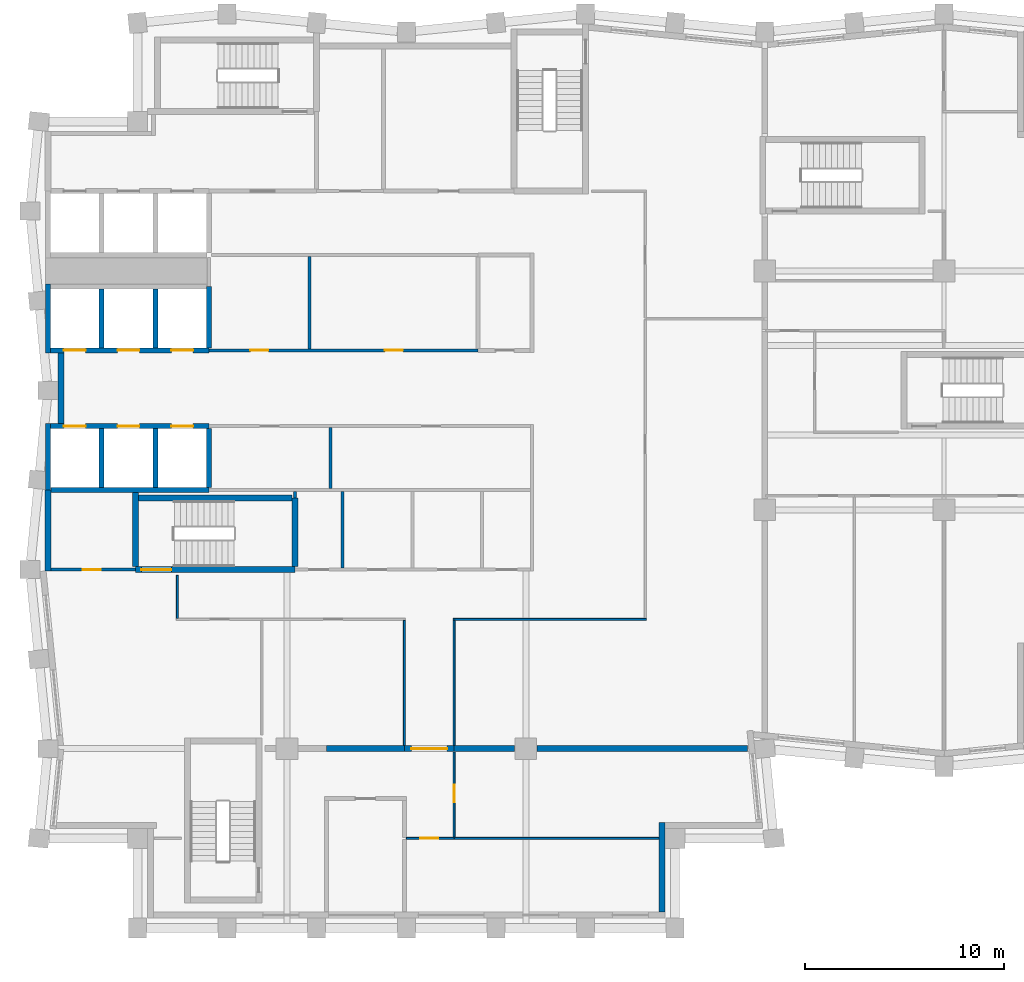
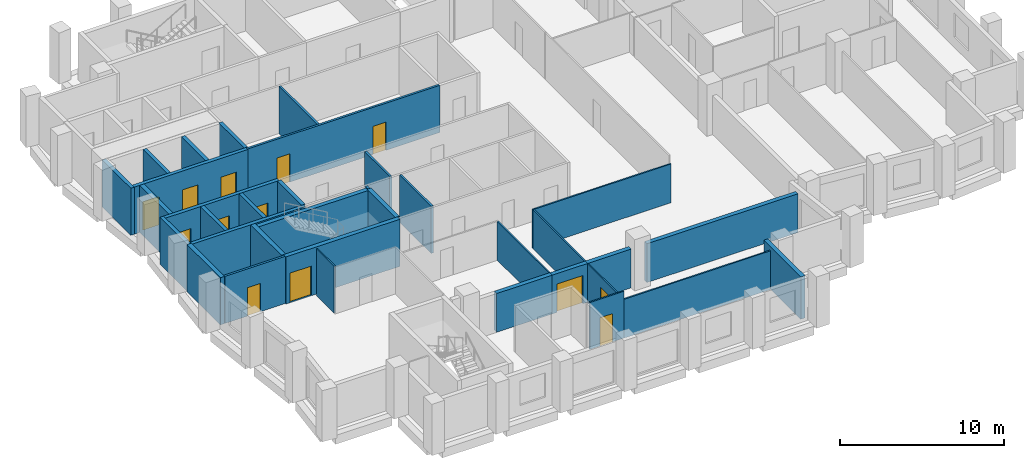
# One storey, part 3 of 8: 35 walls, 13 doors, 13 openings.
"""IFC4 building model written with IfcOpenShell, lengths in metres."""

from ifc_helpers import new_model, si_unit, direction, frame, frame_2d, origin, place, context, subcontext, project, spatial, rectangle, extrude, material, layer, layer_set, type_object, element, fill, save


model = new_model("IFC4")

# Units and contexts
model_context = context("Model", 3, precision=1e-05, world=origin(), true_north=direction((0.0, 1.0)))
body_context = subcontext(model_context, "Body", "Model", "MODEL_VIEW")
ifc_project = project(units=[si_unit("LENGTHUNIT", "METRE"), si_unit("AREAUNIT", "SQUARE_METRE"), si_unit("VOLUMEUNIT", "CUBIC_METRE"), si_unit("PLANEANGLEUNIT", "RADIAN"), si_unit("MASSUNIT", "GRAM", prefix="KILO")], contexts=[model_context])

# Site, building, storey
site_placement = place(None, origin())
site = spatial("IfcSite", under=ifc_project, at=site_placement, CompositionType="ELEMENT")
building_placement = place(site_placement, origin())
building = spatial("IfcBuilding", under=site, at=building_placement, Name="Brondeck Convention Tower", CompositionType="ELEMENT")
storey_placement = place(building_placement, frame((0.0, 0.0, 221.60009765625)))
storey = spatial("IfcBuildingStorey", under=building, at=storey_placement, Name="L54", CompositionType="ELEMENT", Elevation=221.60009765625)

# Wall
ifc_material_1 = material(Name="Concrete compartment wall C30/37", Category="concrete")
ifc_layer_1 = layer(ifc_material_1, 0.300048828125)
ifc_layer_set_1 = layer_set([ifc_layer_1], Name="Compartment wall 300")
wall_type_1 = type_object("IfcWallType", Name="Compartment wall 300", PredefinedType="PARTITIONING", material=ifc_layer_set_1)
wall_1_placement = place(storey_placement, frame((14.0, 27.0, 0.0), z_axis=(0.0, 0.0, 1.0), x_axis=(1.0, 0.0, 0.0)))
element("IfcWall", 1, at=wall_1_placement, inside=storey, type_object=wall_type_1, Name="FLR-L54-W015", PredefinedType="PARTITIONING", context=body_context, shape_type="SweptSolid", body=[
    extrude(rectangle(XDim=3.89990234375, YDim=0.300048828125, at=frame_2d((1.949951171875, 0.0))), origin(), (0.0, 0.0, 1.0), 2.8798828125),
])

# Wall, opening, door
wall_2_placement = place(storey_placement, frame((20.39990234375, 27.0, 0.0), z_axis=(0.0, 0.0, 1.0), x_axis=(-1.0, 0.0, 0.0)))
wall_2 = element("IfcWall", 2, at=wall_2_placement, inside=storey, type_object=wall_type_1, Name="FLR-L54-W016", PredefinedType="PARTITIONING", context=body_context, shape_type="SweptSolid", body=[
    extrude(rectangle(XDim=2.5, YDim=0.300048828125, at=frame_2d((1.25, 0.0))), origin(), (0.0, 0.0, 1.0), 2.8798828125),
])
opening_1_placement = place(wall_2_placement, frame((0.35009765625, 0.0, 0.0)))
opening_1 = element("IfcOpeningElement", 3, at=opening_1_placement, cuts=wall_2, Name="Opening OF-M-015", PredefinedType="OPENING", context=body_context, shape_type="SweptSolid", body=[
    extrude(rectangle(XDim=1.800048828125, YDim=2.10009765625, at=frame_2d((0.89990234375, 1.050048828125))), frame((0.0, 0.159912109375, 0.0), z_axis=(0.0, -1.0, 0.0), x_axis=(1.0, 0.0, 0.0)), (0.0, 0.0, 1.0), 0.320068359375),
])
ifc_material_2 = material(Name="Steel fire door pair", Category="steel")
door_type_1 = type_object("IfcDoorType", Name="Fire door pair 1800", OperationType="DOUBLE_DOOR_SINGLE_SWING", PredefinedType="DOOR", material=ifc_material_2)
door_1_placement = place(opening_1_placement, origin())
door_1 = element("IfcDoor", 4, at=door_1_placement, inside=storey, type_object=door_type_1, Name="Door OF-M-015", OperationType="DOUBLE_DOOR_SINGLE_SWING", OverallHeight=2.10009765625, OverallWidth=1.800048828125, PredefinedType="DOOR", context=body_context, shape_type="SweptSolid", body=[
    extrude(rectangle(XDim=1.800048828125, YDim=2.10009765625, at=frame_2d((0.89990234375, 1.050048828125))), frame((0.0, 0.02490234375, 0.0), z_axis=(0.0, -1.0, 0.0), x_axis=(1.0, 0.0, 0.0)), (0.0, 0.0, 1.0), 0.050048828125),
])
fill(opening_1, door_1)

# Walls
wall_3_placement = place(storey_placement, frame((20.39990234375, 27.0, 0.0), z_axis=(0.0, 0.0, 1.0), x_axis=(1.0, 0.0, 0.0)))
element("IfcWall", 5, at=wall_3_placement, inside=storey, type_object=wall_type_1, Name="FLR-L54-W017", PredefinedType="PARTITIONING", context=body_context, shape_type="SweptSolid", body=[
    extrude(rectangle(XDim=3.045166015625, YDim=0.300048828125, at=frame_2d((1.5224609375, 0.0))), origin(), (0.0, 0.0, 1.0), 2.8798828125),
])
wall_4_placement = place(storey_placement, frame((24.554931640625, 27.0, 0.0), z_axis=(0.0, 0.0, 1.0), x_axis=(1.0, 0.0, 0.0)))
element("IfcWall", 6, at=wall_4_placement, inside=storey, type_object=wall_type_1, Name="FLR-L54-W018", PredefinedType="PARTITIONING", context=body_context, shape_type="SweptSolid", body=[
    extrude(rectangle(XDim=10.591064453125, YDim=0.300048828125, at=frame_2d((5.29541015625, 0.0))), origin(), (0.0, 0.0, 1.0), 2.8798828125),
])
ifc_material_3 = material(Name="Concrete C50/60", Category="concrete")
ifc_layer_2 = layer(ifc_material_3, 0.300048828125)
ifc_layer_set_2 = layer_set([ifc_layer_2], Name="Core outer wall 300 Concrete C50/60")
wall_type_2 = type_object("IfcWallType", Name="Core outer wall 300 Concrete C50/60", PredefinedType="SHEAR", material=ifc_layer_set_2)
wall_5_placement = place(storey_placement, frame((0.0, 35.925048828125, 0.0), z_axis=(0.0, 0.0, 1.0), x_axis=(0.0, 1.0, 0.0)))
element("IfcWall", 7, at=wall_5_placement, inside=storey, type_object=wall_type_2, Name="L54 core wall", PredefinedType="SHEAR", context=body_context, shape_type="SweptSolid", body=[
    extrude(rectangle(XDim=4.074951171875, YDim=0.300048828125, at=frame_2d((2.03759765625, 0.0))), origin(), (0.0, 0.0, 1.0), 3.5),
])
wall_6_placement = place(storey_placement, frame((0.64990234375, 43.324951171875, 0.0), z_axis=(0.0, 0.0, 1.0), x_axis=(0.0, 1.0, 0.0)))
element("IfcWall", 8, at=wall_6_placement, inside=storey, type_object=wall_type_2, Name="L54 core wall", PredefinedType="SHEAR", context=body_context, shape_type="SweptSolid", body=[
    extrude(rectangle(XDim=3.550048828125, YDim=0.300048828125, at=frame_2d((1.77490234375, 0.0))), origin(), (0.0, 0.0, 1.0), 3.5),
])

# Wall, opening, door
ifc_material_4 = material(Name="Fire-rated gypsum board partition")
ifc_layer_3 = layer(ifc_material_4, 0.14990234375)
ifc_layer_set_3 = layer_set([ifc_layer_3], Name="Core partition 150 EI 60")
wall_type_3 = type_object("IfcWallType", Name="Core partition 150 EI 60", PredefinedType="PARTITIONING", material=ifc_layer_set_3)
wall_7_placement = place(storey_placement, frame((0.14990234375, 36.0, 0.0), z_axis=(0.0, 0.0, 1.0), x_axis=(1.0, 0.0, 0.0)))
wall_7 = element("IfcWall", 9, at=wall_7_placement, inside=storey, type_object=wall_type_3, Name="L54 core wall", PredefinedType="PARTITIONING", context=body_context, shape_type="SweptSolid", body=[
    extrude(rectangle(XDim=4.25, YDim=0.14990234375, at=frame_2d((2.125, 0.0))), origin(), (0.0, 0.0, 1.0), 3.5),
])
opening_2_placement = place(wall_7_placement, frame((1.60009765625, 0.0, 0.0)))
opening_2 = element("IfcOpeningElement", 10, at=opening_2_placement, cuts=wall_7, Name="Opening C30-07", PredefinedType="OPENING", context=body_context, shape_type="SweptSolid", body=[
    extrude(rectangle(XDim=0.89990234375, YDim=2.10009765625, at=frame_2d((0.449951171875, 1.050048828125))), frame((0.0, 0.0849609375, 0.0), z_axis=(0.0, -1.0, 0.0), x_axis=(1.0, 0.0, 0.0)), (0.0, 0.0, 1.0), 0.169921875),
])
ifc_material_5 = material(Name="Steel fire door", Category="steel")
door_type_2 = type_object("IfcDoorType", Name="Room door 900x2100 EI 60", OperationType="NOTDEFINED", PredefinedType="DOOR", material=ifc_material_5)
door_2_placement = place(opening_2_placement, origin())
door_2 = element("IfcDoor", 11, at=door_2_placement, inside=storey, type_object=door_type_2, Name="L54 Room door FRW-1", OperationType="SINGLE_SWING_LEFT", OverallHeight=2.10009765625, OverallWidth=0.89990234375, PredefinedType="DOOR", context=body_context, shape_type="SweptSolid", body=[
    extrude(rectangle(XDim=0.89990234375, YDim=2.10009765625, at=frame_2d((0.449951171875, 1.050048828125))), frame((0.0, 0.02490234375, 0.0), z_axis=(0.0, -1.0, 0.0), x_axis=(1.0, 0.0, 0.0)), (0.0, 0.0, 1.0), 0.050048828125),
])
fill(opening_2, door_2)

# Wall, openings, doors
wall_8_placement = place(storey_placement, frame((8.10009765625, 47.0, 0.0), z_axis=(0.0, 0.0, 1.0), x_axis=(1.0, 0.0, 0.0)))
wall_8 = element("IfcWall", 12, at=wall_8_placement, inside=storey, type_object=wall_type_3, Name="L54 core wall", PredefinedType="PARTITIONING", context=body_context, shape_type="SweptSolid", body=[
    extrude(rectangle(XDim=13.5, YDim=0.14990234375, at=frame_2d((6.75, 0.0))), origin(), (0.0, 0.0, 1.0), 3.5),
])
opening_3_placement = place(wall_8_placement, frame((2.074951171875, 0.0, 0.0)))
opening_3 = element("IfcOpeningElement", 13, at=opening_3_placement, cuts=wall_8, Name="Opening C30-08", PredefinedType="OPENING", context=body_context, shape_type="SweptSolid", body=[
    extrude(rectangle(XDim=0.89990234375, YDim=2.10009765625, at=frame_2d((0.449951171875, 1.050048828125))), frame((0.0, 0.0849609375, 0.0), z_axis=(0.0, -1.0, 0.0), x_axis=(1.0, 0.0, 0.0)), (0.0, 0.0, 1.0), 0.169921875),
])
opening_4_placement = place(wall_8_placement, frame((8.824951171875, 0.0, 0.0)))
opening_4 = element("IfcOpeningElement", 14, at=opening_4_placement, cuts=wall_8, Name="Opening C30-09", PredefinedType="OPENING", context=body_context, shape_type="SweptSolid", body=[
    extrude(rectangle(XDim=0.89990234375, YDim=2.10009765625, at=frame_2d((0.449951171875, 1.050048828125))), frame((0.0, 0.0849609375, 0.0), z_axis=(0.0, -1.0, 0.0), x_axis=(1.0, 0.0, 0.0)), (0.0, 0.0, 1.0), 0.169921875),
])
door_3_placement = place(opening_3_placement, origin())
door_3 = element("IfcDoor", 15, at=door_3_placement, inside=storey, type_object=door_type_2, Name="L54 Room door FZ-N-8.1-1", OperationType="SINGLE_SWING_LEFT", OverallHeight=2.10009765625, OverallWidth=0.89990234375, PredefinedType="DOOR", context=body_context, shape_type="SweptSolid", body=[
    extrude(rectangle(XDim=0.89990234375, YDim=2.10009765625, at=frame_2d((0.449951171875, 1.050048828125))), frame((0.0, 0.02490234375, 0.0), z_axis=(0.0, -1.0, 0.0), x_axis=(1.0, 0.0, 0.0)), (0.0, 0.0, 1.0), 0.050048828125),
])
fill(opening_3, door_3)
door_4_placement = place(opening_4_placement, origin())
door_4 = element("IfcDoor", 16, at=door_4_placement, inside=storey, type_object=door_type_2, Name="L54 Room door FZ-N-8.1-2", OperationType="SINGLE_SWING_RIGHT", OverallHeight=2.10009765625, OverallWidth=0.89990234375, PredefinedType="DOOR", context=body_context, shape_type="SweptSolid", body=[
    extrude(rectangle(XDim=0.89990234375, YDim=2.10009765625, at=frame_2d((0.449951171875, 1.050048828125))), frame((0.0, 0.02490234375, 0.0), z_axis=(0.0, -1.0, 0.0), x_axis=(1.0, 0.0, 0.0)), (0.0, 0.0, 1.0), 0.050048828125),
])
fill(opening_4, door_4)

# Walls
wall_9_placement = place(storey_placement, frame((12.39990234375, 39.60009765625, 0.0), z_axis=(0.0, 0.0, 1.0), x_axis=(0.0, 1.0, 0.0)))
element("IfcWall", 17, at=wall_9_placement, inside=storey, type_object=wall_type_3, Name="L54 core wall", PredefinedType="PARTITIONING", context=body_context, shape_type="SweptSolid", body=[
    extrude(rectangle(XDim=0.324951171875, YDim=0.14990234375, at=frame_2d((0.16259765625, 0.0))), origin(), (0.0, 0.0, 1.0), 3.5),
])
wall_10_placement = place(storey_placement, frame((13.14990234375, 47.074951171875, 0.0), z_axis=(0.0, 0.0, 1.0), x_axis=(0.0, 1.0, 0.0)))
element("IfcWall", 18, at=wall_10_placement, inside=storey, type_object=wall_type_3, Name="L54 core wall", PredefinedType="PARTITIONING", context=body_context, shape_type="SweptSolid", body=[
    extrude(rectangle(XDim=4.650146484375, YDim=0.14990234375, at=frame_2d((2.3251953125, 0.0))), origin(), (0.0, 0.0, 1.0), 3.5),
])
wall_11_placement = place(storey_placement, frame((14.199951171875, 40.074951171875, 0.0), z_axis=(0.0, 0.0, 1.0), x_axis=(0.0, 1.0, 0.0)))
element("IfcWall", 19, at=wall_11_placement, inside=storey, type_object=wall_type_3, Name="L54 core wall", PredefinedType="PARTITIONING", context=body_context, shape_type="SweptSolid", body=[
    extrude(rectangle(XDim=3.050048828125, YDim=0.14990234375, at=frame_2d((1.52490234375, 0.0))), origin(), (0.0, 0.0, 1.0), 3.5),
])
wall_12_placement = place(storey_placement, frame((14.800048828125, 36.074951171875, 0.0), z_axis=(0.0, 0.0, 1.0), x_axis=(0.0, 1.0, 0.0)))
element("IfcWall", 20, at=wall_12_placement, inside=storey, type_object=wall_type_3, Name="L54 core wall", PredefinedType="PARTITIONING", context=body_context, shape_type="SweptSolid", body=[
    extrude(rectangle(XDim=3.85009765625, YDim=0.14990234375, at=frame_2d((1.925048828125, 0.0))), origin(), (0.0, 0.0, 1.0), 3.5),
])
ifc_material_6 = material(Name="Precast concrete C50/60 bronze finish", Category="concrete")
ifc_layer_4 = layer(ifc_material_6, 0.070068359375, Name="Bronze precast facing")
ifc_material_7 = material(Name="Mineral wool")
ifc_layer_5 = layer(ifc_material_7, 0.159912109375, Name="Insulation")
ifc_material_8 = material(Name="Concrete C35/45", Category="concrete")
ifc_layer_6 = layer(ifc_material_8, 0.070068359375, Name="Backing")
ifc_layer_set_4 = layer_set([ifc_layer_4, ifc_layer_5, ifc_layer_6], Name="External infill wall, precast concrete C50/60 bronze facing")
wall_type_4 = type_object("IfcWallType", Name="External infill wall, precast concrete C50/60 bronze facing", PredefinedType="SOLIDWALL", material=ifc_layer_set_4)
wall_13_placement = place(storey_placement, frame((30.85009765625, 23.300048828125, 0.0), z_axis=(0.0, 0.0, 1.0), x_axis=(0.0, -1.0, 0.0)))
element("IfcWall", 21, at=wall_13_placement, inside=storey, type_object=wall_type_4, Name="ENV-EW-L54-P2-NC-SEB18-01", PredefinedType="SOLIDWALL", context=body_context, shape_type="SweptSolid", body=[
    extrude(rectangle(XDim=4.5, YDim=0.300048828125, at=frame_2d((2.25, 0.0))), origin(), (0.0, 0.0, 1.0), 3.14990234375),
])
ifc_layer_7 = layer(ifc_material_3, 0.25)
ifc_layer_set_5 = layer_set([ifc_layer_7], Name="Lift shaft wall 250 Concrete C50/60")
wall_type_5 = type_object("IfcWallType", Name="Lift shaft wall 250 Concrete C50/60", PredefinedType="SHEAR", material=ifc_layer_set_5)
wall_14_placement = place(storey_placement, frame((0.14990234375, 40.0, 0.0), z_axis=(0.0, 0.0, 1.0), x_axis=(1.0, 0.0, 0.0)))
element("IfcWall", 22, at=wall_14_placement, inside=storey, type_object=wall_type_5, Name="L54 core wall", PredefinedType="SHEAR", context=body_context, shape_type="SweptSolid", body=[
    extrude(rectangle(XDim=7.9501953125, YDim=0.25, at=frame_2d((3.97509765625, 0.0))), origin(), (0.0, 0.0, 1.0), 3.5),
])

# Wall, openings, doors
wall_15_placement = place(storey_placement, frame((0.125, 43.199951171875, 0.0), z_axis=(0.0, 0.0, 1.0), x_axis=(1.0, 0.0, 0.0)))
wall_15 = element("IfcWall", 23, at=wall_15_placement, inside=storey, type_object=wall_type_5, Name="L54 core wall", PredefinedType="SHEAR", context=body_context, shape_type="SweptSolid", body=[
    extrude(rectangle(XDim=7.97509765625, YDim=0.25, at=frame_2d((3.987548828125, 0.0))), origin(), (0.0, 0.0, 1.0), 3.5),
])
opening_5_placement = place(wall_15_placement, frame((0.675048828125, 0.0, 0.0)))
opening_5 = element("IfcOpeningElement", 24, at=opening_5_placement, cuts=wall_15, Name="Opening C30-23", PredefinedType="OPENING", context=body_context, shape_type="SweptSolid", body=[
    extrude(rectangle(XDim=1.10009765625, YDim=2.10009765625, at=frame_2d((0.550048828125, 1.050048828125))), frame((0.0, 0.135009765625, 0.0), z_axis=(0.0, -1.0, 0.0), x_axis=(1.0, 0.0, 0.0)), (0.0, 0.0, 1.0), 0.27001953125),
])
opening_6_placement = place(wall_15_placement, frame((3.375, 0.0, 0.0)))
opening_6 = element("IfcOpeningElement", 25, at=opening_6_placement, cuts=wall_15, Name="Opening C30-24", PredefinedType="OPENING", context=body_context, shape_type="SweptSolid", body=[
    extrude(rectangle(XDim=1.10009765625, YDim=2.10009765625, at=frame_2d((0.550048828125, 1.050048828125))), frame((0.0, 0.135009765625, 0.0), z_axis=(0.0, -1.0, 0.0), x_axis=(1.0, 0.0, 0.0)), (0.0, 0.0, 1.0), 0.27001953125),
])
opening_7_placement = place(wall_15_placement, frame((6.074951171875, 0.0, 0.0)))
opening_7 = element("IfcOpeningElement", 26, at=opening_7_placement, cuts=wall_15, Name="Opening C30-25", PredefinedType="OPENING", context=body_context, shape_type="SweptSolid", body=[
    extrude(rectangle(XDim=1.10009765625, YDim=2.10009765625, at=frame_2d((0.550048828125, 1.050048828125))), frame((0.0, 0.135009765625, 0.0), z_axis=(0.0, -1.0, 0.0), x_axis=(1.0, 0.0, 0.0)), (0.0, 0.0, 1.0), 0.27001953125),
])
ifc_material_9 = material(Name="Stainless steel lift door", Category="steel")
door_type_3 = type_object("IfcDoorType", Name="Lift landing door 1100x2100 EI 180", OperationType="DOUBLE_DOOR_SLIDING", PredefinedType="DOOR", material=ifc_material_9)
door_5_placement = place(opening_5_placement, origin())
door_5 = element("IfcDoor", 27, at=door_5_placement, inside=storey, type_object=door_type_3, Name="L54 Lift landing door HR1", OperationType="DOUBLE_DOOR_SLIDING", OverallHeight=2.10009765625, OverallWidth=1.10009765625, PredefinedType="DOOR", context=body_context, shape_type="SweptSolid", body=[
    extrude(rectangle(XDim=1.10009765625, YDim=2.10009765625, at=frame_2d((0.550048828125, 1.050048828125))), frame((0.0, 0.02490234375, 0.0), z_axis=(0.0, -1.0, 0.0), x_axis=(1.0, 0.0, 0.0)), (0.0, 0.0, 1.0), 0.050048828125),
])
fill(opening_5, door_5)
door_6_placement = place(opening_6_placement, origin())
door_6 = element("IfcDoor", 28, at=door_6_placement, inside=storey, type_object=door_type_3, Name="L54 Lift landing door HR2", OperationType="DOUBLE_DOOR_SLIDING", OverallHeight=2.10009765625, OverallWidth=1.10009765625, PredefinedType="DOOR", context=body_context, shape_type="SweptSolid", body=[
    extrude(rectangle(XDim=1.10009765625, YDim=2.10009765625, at=frame_2d((0.550048828125, 1.050048828125))), frame((0.0, 0.02490234375, 0.0), z_axis=(0.0, -1.0, 0.0), x_axis=(1.0, 0.0, 0.0)), (0.0, 0.0, 1.0), 0.050048828125),
])
fill(opening_6, door_6)
door_7_placement = place(opening_7_placement, origin())
door_7 = element("IfcDoor", 29, at=door_7_placement, inside=storey, type_object=door_type_3, Name="L54 Lift landing door HR3", OperationType="DOUBLE_DOOR_SLIDING", OverallHeight=2.10009765625, OverallWidth=1.10009765625, PredefinedType="DOOR", context=body_context, shape_type="SweptSolid", body=[
    extrude(rectangle(XDim=1.10009765625, YDim=2.10009765625, at=frame_2d((0.550048828125, 1.050048828125))), frame((0.0, 0.02490234375, 0.0), z_axis=(0.0, -1.0, 0.0), x_axis=(1.0, 0.0, 0.0)), (0.0, 0.0, 1.0), 0.050048828125),
])
fill(opening_7, door_7)

wall_16_placement = place(storey_placement, frame((0.125, 47.0, 0.0), z_axis=(0.0, 0.0, 1.0), x_axis=(1.0, 0.0, 0.0)))
wall_16 = element("IfcWall", 30, at=wall_16_placement, inside=storey, type_object=wall_type_5, Name="L54 core wall", PredefinedType="SHEAR", context=body_context, shape_type="SweptSolid", body=[
    extrude(rectangle(XDim=7.97509765625, YDim=0.25, at=frame_2d((3.987548828125, 0.0))), origin(), (0.0, 0.0, 1.0), 3.5),
])
opening_8_placement = place(wall_16_placement, frame((0.675048828125, 0.0, 0.0)))
opening_8 = element("IfcOpeningElement", 31, at=opening_8_placement, cuts=wall_16, Name="Opening C30-26", PredefinedType="OPENING", context=body_context, shape_type="SweptSolid", body=[
    extrude(rectangle(XDim=1.10009765625, YDim=2.10009765625, at=frame_2d((0.550048828125, 1.050048828125))), frame((0.0, 0.135009765625, 0.0), z_axis=(0.0, -1.0, 0.0), x_axis=(1.0, 0.0, 0.0)), (0.0, 0.0, 1.0), 0.27001953125),
])
opening_9_placement = place(wall_16_placement, frame((3.375, 0.0, 0.0)))
opening_9 = element("IfcOpeningElement", 32, at=opening_9_placement, cuts=wall_16, Name="Opening C30-27", PredefinedType="OPENING", context=body_context, shape_type="SweptSolid", body=[
    extrude(rectangle(XDim=1.10009765625, YDim=2.10009765625, at=frame_2d((0.550048828125, 1.050048828125))), frame((0.0, 0.135009765625, 0.0), z_axis=(0.0, -1.0, 0.0), x_axis=(1.0, 0.0, 0.0)), (0.0, 0.0, 1.0), 0.27001953125),
])
opening_10_placement = place(wall_16_placement, frame((6.074951171875, 0.0, 0.0)))
opening_10 = element("IfcOpeningElement", 33, at=opening_10_placement, cuts=wall_16, Name="Opening C30-28", PredefinedType="OPENING", context=body_context, shape_type="SweptSolid", body=[
    extrude(rectangle(XDim=1.10009765625, YDim=2.10009765625, at=frame_2d((0.550048828125, 1.050048828125))), frame((0.0, 0.135009765625, 0.0), z_axis=(0.0, -1.0, 0.0), x_axis=(1.0, 0.0, 0.0)), (0.0, 0.0, 1.0), 0.27001953125),
])
door_8_placement = place(opening_8_placement, origin())
door_8 = element("IfcDoor", 34, at=door_8_placement, inside=storey, type_object=door_type_3, Name="L54 Lift landing door HR4", OperationType="DOUBLE_DOOR_SLIDING", OverallHeight=2.10009765625, OverallWidth=1.10009765625, PredefinedType="DOOR", context=body_context, shape_type="SweptSolid", body=[
    extrude(rectangle(XDim=1.10009765625, YDim=2.10009765625, at=frame_2d((0.550048828125, 1.050048828125))), frame((0.0, 0.02490234375, 0.0), z_axis=(0.0, -1.0, 0.0), x_axis=(1.0, 0.0, 0.0)), (0.0, 0.0, 1.0), 0.050048828125),
])
fill(opening_8, door_8)
door_9_placement = place(opening_9_placement, origin())
door_9 = element("IfcDoor", 35, at=door_9_placement, inside=storey, type_object=door_type_3, Name="L54 Lift landing door HR5", OperationType="DOUBLE_DOOR_SLIDING", OverallHeight=2.10009765625, OverallWidth=1.10009765625, PredefinedType="DOOR", context=body_context, shape_type="SweptSolid", body=[
    extrude(rectangle(XDim=1.10009765625, YDim=2.10009765625, at=frame_2d((0.550048828125, 1.050048828125))), frame((0.0, 0.02490234375, 0.0), z_axis=(0.0, -1.0, 0.0), x_axis=(1.0, 0.0, 0.0)), (0.0, 0.0, 1.0), 0.050048828125),
])
fill(opening_9, door_9)
door_10_placement = place(opening_10_placement, origin())
door_10 = element("IfcDoor", 36, at=door_10_placement, inside=storey, type_object=door_type_3, Name="L54 Lift landing door HR6", OperationType="DOUBLE_DOOR_SLIDING", OverallHeight=2.10009765625, OverallWidth=1.10009765625, PredefinedType="DOOR", context=body_context, shape_type="SweptSolid", body=[
    extrude(rectangle(XDim=1.10009765625, YDim=2.10009765625, at=frame_2d((0.550048828125, 1.050048828125))), frame((0.0, 0.02490234375, 0.0), z_axis=(0.0, -1.0, 0.0), x_axis=(1.0, 0.0, 0.0)), (0.0, 0.0, 1.0), 0.050048828125),
])
fill(opening_10, door_10)

# Walls
wall_17_placement = place(storey_placement, frame((0.0, 40.0, 0.0), z_axis=(0.0, 0.0, 1.0), x_axis=(0.0, 1.0, 0.0)))
element("IfcWall", 37, at=wall_17_placement, inside=storey, type_object=wall_type_5, Name="L54 core wall", PredefinedType="SHEAR", context=body_context, shape_type="SweptSolid", body=[
    extrude(rectangle(XDim=3.324951171875, YDim=0.25, at=frame_2d((1.66259765625, 0.0))), origin(), (0.0, 0.0, 1.0), 3.5),
])
wall_18_placement = place(storey_placement, frame((0.0, 46.875, 0.0), z_axis=(0.0, 0.0, 1.0), x_axis=(0.0, 1.0, 0.0)))
element("IfcWall", 38, at=wall_18_placement, inside=storey, type_object=wall_type_5, Name="L54 core wall", PredefinedType="SHEAR", context=body_context, shape_type="SweptSolid", body=[
    extrude(rectangle(XDim=3.47509765625, YDim=0.25, at=frame_2d((1.737548828125, 0.0))), origin(), (0.0, 0.0, 1.0), 3.5),
])
for number, where, z_axis, x_axis, name in (
    (39, (2.699951171875, 40.125, 0.0), (0.0, 0.0, 1.0), (0.0, 1.0, 0.0), "L54 core wall"),
    (40, (2.699951171875, 47.125, 0.0), (0.0, 0.0, 1.0), (0.0, 1.0, 0.0), "L54 core wall"),
    (41, (5.39990234375, 40.125, 0.0), (0.0, 0.0, 1.0), (0.0, 1.0, 0.0), "L54 core wall"),
    (42, (5.39990234375, 47.125, 0.0), (0.0, 0.0, 1.0), (0.0, 1.0, 0.0), "L54 core wall"),
    (43, (8.10009765625, 40.125, 0.0), (0.0, 0.0, 1.0), (0.0, 1.0, 0.0), "L54 core wall"),
):
    element("IfcWall", number, at=place(storey_placement, frame(where, z_axis=z_axis, x_axis=x_axis)), inside=storey, type_object=wall_type_5, Name=name, PredefinedType="SHEAR", context=body_context, shape_type="SweptSolid", body=[
        extrude(rectangle(XDim=2.949951171875, YDim=0.25, at=frame_2d((1.47509765625, 0.0))), origin(), (0.0, 0.0, 1.0), 3.5),
    ])
wall_19_placement = place(storey_placement, frame((8.10009765625, 47.125, 0.0), z_axis=(0.0, 0.0, 1.0), x_axis=(0.0, 1.0, 0.0)))
element("IfcWall", 44, at=wall_19_placement, inside=storey, type_object=wall_type_5, Name="L54 core wall", PredefinedType="SHEAR", context=body_context, shape_type="SweptSolid", body=[
    extrude(rectangle(XDim=3.074951171875, YDim=0.25, at=frame_2d((1.53759765625, 0.0))), origin(), (0.0, 0.0, 1.0), 3.5),
])

# Wall, opening, door
ifc_material_10 = material(Name="Gypsum board partition on steel studs", Category="steel")
ifc_layer_8 = layer(ifc_material_10, 0.10009765625)
ifc_layer_set_6 = layer_set([ifc_layer_8], Name="Room partition 100")
wall_type_6 = type_object("IfcWallType", Name="Room partition 100", PredefinedType="PARTITIONING", material=ifc_layer_set_6)
wall_20_placement = place(storey_placement, frame((20.39990234375, 22.5, 0.0), z_axis=(0.0, 0.0, 1.0), x_axis=(-1.0, 0.0, 0.0)))
wall_20 = element("IfcWall", 45, at=wall_20_placement, inside=storey, type_object=wall_type_6, Name="FLR-L54-W003", PredefinedType="PARTITIONING", context=body_context, shape_type="SweptSolid", body=[
    extrude(rectangle(XDim=2.39990234375, YDim=0.10009765625, at=frame_2d((1.199951171875, 0.0))), origin(), (0.0, 0.0, 1.0), 3.47998046875),
])
opening_11_placement = place(wall_20_placement, frame((0.800048828125, 0.0, 0.0)))
opening_11 = element("IfcOpeningElement", 46, at=opening_11_placement, cuts=wall_20, Name="Opening OF-M-009", PredefinedType="OPENING", context=body_context, shape_type="SweptSolid", body=[
    extrude(rectangle(XDim=0.89990234375, YDim=2.10009765625, at=frame_2d((0.449951171875, 1.050048828125))), frame((0.0, 0.06005859375, 0.0), z_axis=(0.0, -1.0, 0.0), x_axis=(1.0, 0.0, 0.0)), (0.0, 0.0, 1.0), 0.1201171875),
])
ifc_material_11 = material(Name="Solid timber door leaf", Category="wood")
door_type_4 = type_object("IfcDoorType", Name="Single door 900", OperationType="NOTDEFINED", PredefinedType="DOOR", material=ifc_material_11)
door_11_placement = place(opening_11_placement, origin())
door_11 = element("IfcDoor", 47, at=door_11_placement, inside=storey, type_object=door_type_4, Name="Door OF-M-009", OperationType="SINGLE_SWING_LEFT", OverallHeight=2.10009765625, OverallWidth=0.89990234375, PredefinedType="DOOR", context=body_context, shape_type="SweptSolid", body=[
    extrude(rectangle(XDim=0.89990234375, YDim=2.10009765625, at=frame_2d((0.449951171875, 1.050048828125))), frame((0.0, 0.02490234375, 0.0), z_axis=(0.0, -1.0, 0.0), x_axis=(1.0, 0.0, 0.0)), (0.0, 0.0, 1.0), 0.050048828125),
])
fill(opening_11, door_11)

# Wall
wall_21_placement = place(storey_placement, frame((20.39990234375, 22.5, 0.0), z_axis=(0.0, 0.0, 1.0), x_axis=(1.0, 0.0, 0.0)))
element("IfcWall", 48, at=wall_21_placement, inside=storey, type_object=wall_type_6, Name="FLR-L54-W004", PredefinedType="PARTITIONING", context=body_context, shape_type="SweptSolid", body=[
    extrude(rectangle(XDim=10.280029296875, YDim=0.10009765625, at=frame_2d((5.14013671875, 0.0))), origin(), (0.0, 0.0, 1.0), 2.8798828125),
])

# Wall, opening, door
wall_22_placement = place(storey_placement, frame((20.39990234375, 26.830078125, 0.0), z_axis=(0.0, 0.0, 1.0), x_axis=(0.0, -1.0, 0.0)))
wall_22 = element("IfcWall", 49, at=wall_22_placement, inside=storey, type_object=wall_type_6, Name="FLR-L54-W011", PredefinedType="PARTITIONING", context=body_context, shape_type="SweptSolid", body=[
    extrude(rectangle(XDim=4.280029296875, YDim=0.10009765625, at=frame_2d((2.14013671875, 0.0))), origin(), (0.0, 0.0, 1.0), 2.8798828125),
])
opening_12_placement = place(wall_22_placement, frame((1.6298828125, 0.0, 0.0)))
opening_12 = element("IfcOpeningElement", 50, at=opening_12_placement, cuts=wall_22, Name="Opening OF-M-010", PredefinedType="OPENING", context=body_context, shape_type="SweptSolid", body=[
    extrude(rectangle(XDim=0.89990234375, YDim=2.10009765625, at=frame_2d((0.449951171875, 1.050048828125))), frame((0.0, 0.06005859375, 0.0), z_axis=(0.0, -1.0, 0.0), x_axis=(1.0, 0.0, 0.0)), (0.0, 0.0, 1.0), 0.1201171875),
])
door_12_placement = place(opening_12_placement, origin())
door_12 = element("IfcDoor", 51, at=door_12_placement, inside=storey, type_object=door_type_4, Name="Door OF-M-010", OperationType="SINGLE_SWING_LEFT", OverallHeight=2.10009765625, OverallWidth=0.89990234375, PredefinedType="DOOR", context=body_context, shape_type="SweptSolid", body=[
    extrude(rectangle(XDim=0.89990234375, YDim=2.10009765625, at=frame_2d((0.449951171875, 1.050048828125))), frame((0.0, 0.02490234375, 0.0), z_axis=(0.0, -1.0, 0.0), x_axis=(1.0, 0.0, 0.0)), (0.0, 0.0, 1.0), 0.050048828125),
])
fill(opening_12, door_12)

# Walls
for number, where, z_axis, x_axis, name in (
    (52, (17.89990234375, 27.169921875, 0.0), (0.0, 0.0, 1.0), (0.0, 1.0, 0.0), "FLR-L54-W019"),
    (53, (20.39990234375, 33.449951171875, 0.0), (0.0, 0.0, 1.0), (0.0, -1.0, 0.0), "FLR-L54-W025"),
):
    element("IfcWall", number, at=place(storey_placement, frame(where, z_axis=z_axis, x_axis=x_axis)), inside=storey, type_object=wall_type_6, Name=name, PredefinedType="PARTITIONING", context=body_context, shape_type="SweptSolid", body=[
        extrude(rectangle(XDim=6.280029296875, YDim=0.10009765625, at=frame_2d((3.14013671875, 0.0))), origin(), (0.0, 0.0, 1.0), 2.8798828125),
    ])
wall_23_placement = place(storey_placement, frame((30.050048828125, 33.5, 0.0), z_axis=(0.0, 0.0, 1.0), x_axis=(-1.0, 0.0, 0.0)))
element("IfcWall", 54, at=wall_23_placement, inside=storey, type_object=wall_type_6, Name="FLR-L54-W028", PredefinedType="PARTITIONING", context=body_context, shape_type="SweptSolid", body=[
    extrude(rectangle(XDim=9.699951171875, YDim=0.10009765625, at=frame_2d((4.85009765625, 0.0))), origin(), (0.0, 0.0, 1.0), 2.8798828125),
])
wall_24_placement = place(storey_placement, frame((6.5, 33.550048828125, 0.0), z_axis=(0.0, 0.0, 1.0), x_axis=(0.0, 1.0, 0.0)))
element("IfcWall", 55, at=wall_24_placement, inside=storey, type_object=wall_type_6, Name="FLR-L54-W029", PredefinedType="PARTITIONING", context=body_context, shape_type="SweptSolid", body=[
    extrude(rectangle(XDim=2.14990234375, YDim=0.10009765625, at=frame_2d((1.074951171875, 0.0))), origin(), (0.0, 0.0, 1.0), 3.47998046875),
])

# Wall, opening, door
ifc_layer_9 = layer(ifc_material_3, 0.300048828125)
ifc_layer_set_7 = layer_set([ifc_layer_9], Name="Stair enclosure wall 300 Concrete C50/60")
wall_type_7 = type_object("IfcWallType", Name="Stair enclosure wall 300 Concrete C50/60", PredefinedType="SHEAR", material=ifc_layer_set_7)
wall_25_placement = place(storey_placement, frame((4.39990234375, 36.0, 0.0), z_axis=(0.0, 0.0, 1.0), x_axis=(1.0, 0.0, 0.0)))
wall_25 = element("IfcWall", 56, at=wall_25_placement, inside=storey, type_object=wall_type_7, Name="L54 core wall", PredefinedType="SHEAR", context=body_context, shape_type="SweptSolid", body=[
    extrude(rectangle(XDim=8.0, YDim=0.300048828125, at=frame_2d((4.0, 0.0))), origin(), (0.0, 0.0, 1.0), 3.5),
])
opening_13_placement = place(wall_25_placement, frame((0.300048828125, 0.0, 0.0)))
opening_13 = element("IfcOpeningElement", 57, at=opening_13_placement, cuts=wall_25, Name="Opening C30-14", PredefinedType="OPENING", context=body_context, shape_type="SweptSolid", body=[
    extrude(rectangle(XDim=1.5, YDim=2.199951171875, at=frame_2d((0.75, 1.10009765625))), frame((0.0, 0.159912109375, 0.0), z_axis=(0.0, -1.0, 0.0), x_axis=(1.0, 0.0, 0.0)), (0.0, 0.0, 1.0), 0.320068359375),
])
door_type_5 = type_object("IfcDoorType", Name="Stair door 1500x2200 EI 90", OperationType="NOTDEFINED", PredefinedType="DOOR", material=ifc_material_5)
door_13_placement = place(opening_13_placement, origin())
door_13 = element("IfcDoor", 58, at=door_13_placement, inside=storey, type_object=door_type_5, Name="L54 Stair door ST-1", OperationType="SINGLE_SWING_RIGHT", OverallHeight=2.199951171875, OverallWidth=1.5, PredefinedType="DOOR", context=body_context, shape_type="SweptSolid", body=[
    extrude(rectangle(XDim=1.5, YDim=2.199951171875, at=frame_2d((0.75, 1.10009765625))), frame((0.0, 0.02490234375, 0.0), z_axis=(0.0, -1.0, 0.0), x_axis=(1.0, 0.0, 0.0)), (0.0, 0.0, 1.0), 0.050048828125),
])
fill(opening_13, door_13)

# Walls
wall_26_placement = place(storey_placement, frame((4.550048828125, 39.60009765625, 0.0), z_axis=(0.0, 0.0, 1.0), x_axis=(1.0, 0.0, 0.0)))
element("IfcWall", 59, at=wall_26_placement, inside=storey, type_object=wall_type_7, Name="L54 core wall", PredefinedType="SHEAR", context=body_context, shape_type="SweptSolid", body=[
    extrude(rectangle(XDim=7.699951171875, YDim=0.300048828125, at=frame_2d((3.85009765625, 0.0))), origin(), (0.0, 0.0, 1.0), 3.5),
])
wall_27_placement = place(storey_placement, frame((4.39990234375, 36.14990234375, 0.0), z_axis=(0.0, 0.0, 1.0), x_axis=(0.0, 1.0, 0.0)))
element("IfcWall", 60, at=wall_27_placement, inside=storey, type_object=wall_type_7, Name="L54 core wall", PredefinedType="SHEAR", context=body_context, shape_type="SweptSolid", body=[
    extrude(rectangle(XDim=3.72509765625, YDim=0.300048828125, at=frame_2d((1.862548828125, 0.0))), origin(), (0.0, 0.0, 1.0), 3.5),
])
wall_28_placement = place(storey_placement, frame((12.39990234375, 36.14990234375, 0.0), z_axis=(0.0, 0.0, 1.0), x_axis=(0.0, 1.0, 0.0)))
element("IfcWall", 61, at=wall_28_placement, inside=storey, type_object=wall_type_7, Name="L54 core wall", PredefinedType="SHEAR", context=body_context, shape_type="SweptSolid", body=[
    extrude(rectangle(XDim=3.4501953125, YDim=0.300048828125, at=frame_2d((1.72509765625, 0.0))), origin(), (0.0, 0.0, 1.0), 3.5),
])

save(model, "model.ifc")
